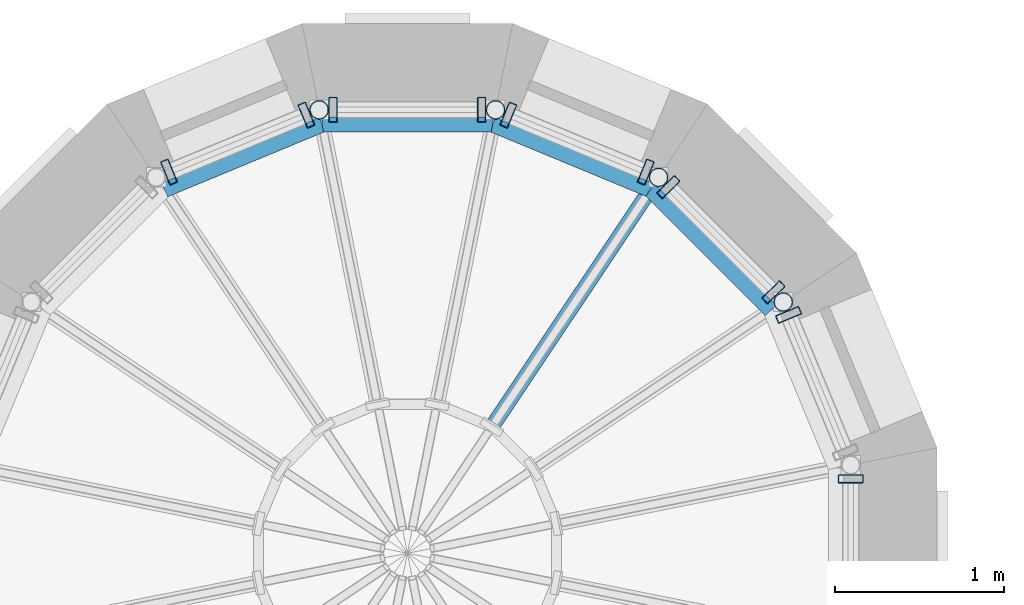
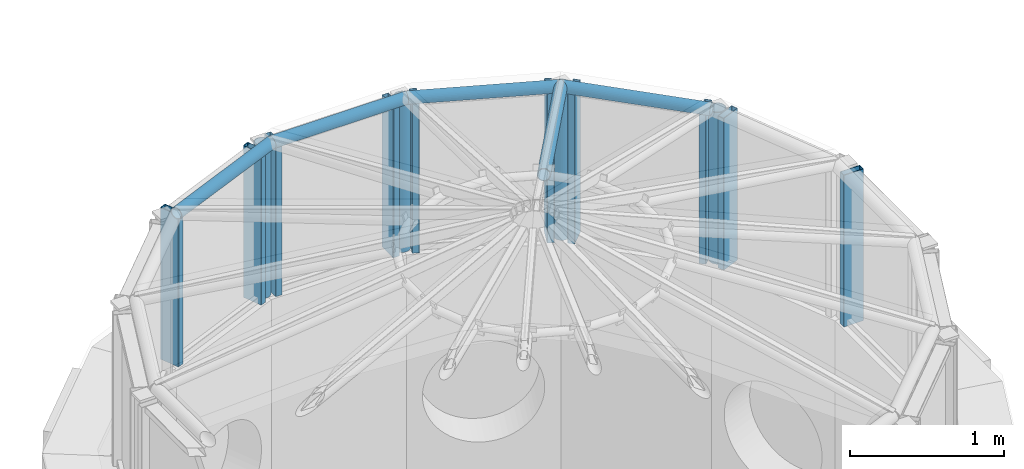
# One storey, part 5 of 42: 19 members, 6 elements without a shape of their own.
"""IFC4 building model written with IfcOpenShell, lengths in metres."""

from ifc_helpers import new_model, si_unit, direction, frame, origin, origin_2d, place, context, subcontext, project, spatial, hollow_rectangle, hollow_circle, extrude, material, material_profile, profile_set, type_object, element, aggregate, save


model = new_model("IFC4")

# Units and contexts
model_context = context("Model", 3, precision=1e-05, world=origin(), true_north=direction((0.0, 1.0)))
body_context = subcontext(model_context, "Body", "Model", "MODEL_VIEW")
ifc_project = project(units=[si_unit("LENGTHUNIT", "METRE"), si_unit("AREAUNIT", "SQUARE_METRE"), si_unit("VOLUMEUNIT", "CUBIC_METRE"), si_unit("PLANEANGLEUNIT", "RADIAN"), si_unit("MASSUNIT", "GRAM", prefix="KILO")], contexts=[model_context])

# Site, building, storey
site_placement = place(None, origin())
site = spatial("IfcSite", under=ifc_project, at=site_placement, CompositionType="ELEMENT")
building_placement = place(site_placement, origin())
building = spatial("IfcBuilding", under=site, at=building_placement, Name="Sun Court Science Centre", CompositionType="ELEMENT")
storey_placement = place(building_placement, frame((0.0, 0.0, 20.25)))
storey = spatial("IfcBuildingStorey", under=building, at=storey_placement, Name="L04", CompositionType="ELEMENT", Elevation=20.25)

# Curtain wall, member
ifc_material_1 = material(Name="Aluminium EN AW-6063 T6", Category="aluminium")
curtain_wall_type = type_object("IfcCurtainWallType", Name="Lantern clerestory curtain wall 1500", PredefinedType="NOTDEFINED", material=ifc_material_1)
curtain_wall_1_placement = place(storey_placement, origin())
curtain_wall_1 = element("IfcCurtainWall", 1, at=curtain_wall_1_placement, inside=storey, type_object=curtain_wall_type, Name="Curtain wall V2 C5 clerestory L04 01", PredefinedType="NOTDEFINED")
ifc_material_2 = material(Name="Aluminium EN AW-6063 T6", Category="aluminium")
ifc_material_profile_1 = material_profile(ifc_material_2, hollow_rectangle(XDim=0.050048828125, YDim=0.14990234375, WallThickness=0.00390625, InnerFilletRadius=0.00390625, OuterFilletRadius=0.006103515625, at=origin_2d()), Name="AL 50x150x4")
ifc_profile_set_1 = profile_set([ifc_material_profile_1], Name="Aluminium EN AW-6063 T6")
member_type_1 = type_object("IfcMemberType", Name="Curtain wall mullion AL 50x150", PredefinedType="MULLION", material=ifc_profile_set_1)
member_1_placement = place(storey_placement, frame((56.25830078125, 12.912109375, 1.949951171875), z_axis=(0.0, 0.0, 1.0), x_axis=(0.382683432365, -0.923879532511, 0.0)))
member_1 = element("IfcMember", 2, at=member_1_placement, type_object=member_type_1, Name="CW4-65 mullion 1", PredefinedType="MULLION", context=body_context, shape_type="SweptSolid", body=[
    extrude(hollow_rectangle(XDim=0.050048828125, YDim=0.14990234375, WallThickness=0.00390625, InnerFilletRadius=0.00390625, OuterFilletRadius=0.006103515625, at=origin_2d()), origin(), (0.0, 0.0, 1.0), 1.199951171875),
])
aggregate(curtain_wall_1, [member_1])

# Curtain wall, members
curtain_wall_2_placement = place(storey_placement, origin())
curtain_wall_2 = element("IfcCurtainWall", 3, at=curtain_wall_2_placement, inside=storey, type_object=curtain_wall_type, Name="Curtain wall V2 C5 clerestory L04 02", PredefinedType="NOTDEFINED")
member_2_placement = place(storey_placement, frame((55.546142578125, 13.668701171875, 1.949951171875), z_axis=(0.0, 0.0, 1.0), x_axis=(0.707106781187, -0.707106781187, 0.0)))
member_2 = element("IfcMember", 4, at=member_2_placement, type_object=member_type_1, Name="CW4-66 mullion 1", PredefinedType="MULLION", context=body_context, shape_type="SweptSolid", body=[
    extrude(hollow_rectangle(XDim=0.050048828125, YDim=0.14990234375, WallThickness=0.00390625, InnerFilletRadius=0.00390625, OuterFilletRadius=0.006103515625, at=origin_2d()), origin(), (0.0, 0.0, 1.0), 1.199951171875),
])
member_3_placement = place(storey_placement, frame((56.168701171875, 13.046142578125, 1.949951171875), z_axis=(0.0, 0.0, 1.0), x_axis=(0.707106781187, -0.707106781187, 0.0)))
member_3 = element("IfcMember", 5, at=member_3_placement, type_object=member_type_1, Name="CW4-66 mullion 2", PredefinedType="MULLION", context=body_context, shape_type="SweptSolid", body=[
    extrude(hollow_rectangle(XDim=0.050048828125, YDim=0.14990234375, WallThickness=0.00390625, InnerFilletRadius=0.00390625, OuterFilletRadius=0.006103515625, at=origin_2d()), origin(), (0.0, 0.0, 1.0), 1.199951171875),
])
aggregate(curtain_wall_2, [member_2, member_3])

curtain_wall_3_placement = place(storey_placement, origin())
curtain_wall_3 = element("IfcCurtainWall", 6, at=curtain_wall_3_placement, inside=storey, type_object=curtain_wall_type, Name="Curtain wall V2 C5 clerestory L04 03", PredefinedType="NOTDEFINED")
member_4_placement = place(storey_placement, frame((54.598388671875, 14.095458984375, 1.949951171875), z_axis=(0.0, 0.0, 1.0), x_axis=(0.923879532511, -0.382683432365, 0.0)))
member_4 = element("IfcMember", 7, at=member_4_placement, type_object=member_type_1, Name="CW4-67 mullion 1", PredefinedType="MULLION", context=body_context, shape_type="SweptSolid", body=[
    extrude(hollow_rectangle(XDim=0.050048828125, YDim=0.14990234375, WallThickness=0.00390625, InnerFilletRadius=0.00390625, OuterFilletRadius=0.006103515625, at=origin_2d()), origin(), (0.0, 0.0, 1.0), 1.199951171875),
])
member_5_placement = place(storey_placement, frame((55.412109375, 13.75830078125, 1.949951171875), z_axis=(0.0, 0.0, 1.0), x_axis=(0.923879532511, -0.382683432365, 0.0)))
member_5 = element("IfcMember", 8, at=member_5_placement, type_object=member_type_1, Name="CW4-67 mullion 2", PredefinedType="MULLION", context=body_context, shape_type="SweptSolid", body=[
    extrude(hollow_rectangle(XDim=0.050048828125, YDim=0.14990234375, WallThickness=0.00390625, InnerFilletRadius=0.00390625, OuterFilletRadius=0.006103515625, at=origin_2d()), origin(), (0.0, 0.0, 1.0), 1.199951171875),
])
aggregate(curtain_wall_3, [member_4, member_5])

curtain_wall_4_placement = place(storey_placement, origin())
curtain_wall_4 = element("IfcCurtainWall", 9, at=curtain_wall_4_placement, inside=storey, type_object=curtain_wall_type, Name="Curtain wall V2 C5 clerestory L04 04", PredefinedType="NOTDEFINED")
member_6_placement = place(storey_placement, frame((53.5595703125, 14.126708984375, 1.949951171875), z_axis=(0.0, 0.0, 1.0), x_axis=(1.0, 0.0, 0.0)))
member_6 = element("IfcMember", 10, at=member_6_placement, type_object=member_type_1, Name="CW4-68 mullion 1", PredefinedType="MULLION", context=body_context, shape_type="SweptSolid", body=[
    extrude(hollow_rectangle(XDim=0.050048828125, YDim=0.14990234375, WallThickness=0.00390625, InnerFilletRadius=0.00390625, OuterFilletRadius=0.006103515625, at=origin_2d()), origin(), (0.0, 0.0, 1.0), 1.199951171875),
])
member_7_placement = place(storey_placement, frame((54.4404296875, 14.126708984375, 1.949951171875), z_axis=(0.0, 0.0, 1.0), x_axis=(1.0, 0.0, 0.0)))
member_7 = element("IfcMember", 11, at=member_7_placement, type_object=member_type_1, Name="CW4-68 mullion 2", PredefinedType="MULLION", context=body_context, shape_type="SweptSolid", body=[
    extrude(hollow_rectangle(XDim=0.050048828125, YDim=0.14990234375, WallThickness=0.00390625, InnerFilletRadius=0.00390625, OuterFilletRadius=0.006103515625, at=origin_2d()), origin(), (0.0, 0.0, 1.0), 1.199951171875),
])
aggregate(curtain_wall_4, [member_6, member_7])

curtain_wall_5_placement = place(storey_placement, origin())
curtain_wall_5 = element("IfcCurtainWall", 12, at=curtain_wall_5_placement, inside=storey, type_object=curtain_wall_type, Name="Curtain wall V2 C5 clerestory L04 05", PredefinedType="NOTDEFINED")
member_8_placement = place(storey_placement, frame((52.587890625, 13.75830078125, 1.949951171875), z_axis=(0.0, 0.0, 1.0), x_axis=(0.923879532511, 0.382683432365, 0.0)))
member_8 = element("IfcMember", 13, at=member_8_placement, type_object=member_type_1, Name="CW4-69 mullion 1", PredefinedType="MULLION", context=body_context, shape_type="SweptSolid", body=[
    extrude(hollow_rectangle(XDim=0.050048828125, YDim=0.14990234375, WallThickness=0.00390625, InnerFilletRadius=0.00390625, OuterFilletRadius=0.006103515625, at=origin_2d()), origin(), (0.0, 0.0, 1.0), 1.199951171875),
])
member_9_placement = place(storey_placement, frame((53.401611328125, 14.095458984375, 1.949951171875), z_axis=(0.0, 0.0, 1.0), x_axis=(0.923879532511, 0.382683432365, 0.0)))
member_9 = element("IfcMember", 14, at=member_9_placement, type_object=member_type_1, Name="CW4-69 mullion 2", PredefinedType="MULLION", context=body_context, shape_type="SweptSolid", body=[
    extrude(hollow_rectangle(XDim=0.050048828125, YDim=0.14990234375, WallThickness=0.00390625, InnerFilletRadius=0.00390625, OuterFilletRadius=0.006103515625, at=origin_2d()), origin(), (0.0, 0.0, 1.0), 1.199951171875),
])
aggregate(curtain_wall_5, [member_8, member_9])

# Curtain wall, member
curtain_wall_6_placement = place(storey_placement, origin())
curtain_wall_6 = element("IfcCurtainWall", 15, at=curtain_wall_6_placement, inside=storey, type_object=curtain_wall_type, Name="Curtain wall V2 C5 clerestory L04 16", PredefinedType="NOTDEFINED")
member_10_placement = place(storey_placement, frame((56.626708984375, 11.9404296875, 1.949951171875), z_axis=(0.0, 0.0, 1.0), x_axis=(0.0, -1.0, 0.0)))
member_10 = element("IfcMember", 16, at=member_10_placement, type_object=member_type_1, Name="CW4-80 mullion 1", PredefinedType="MULLION", context=body_context, shape_type="SweptSolid", body=[
    extrude(hollow_rectangle(XDim=0.050048828125, YDim=0.14990234375, WallThickness=0.00390625, InnerFilletRadius=0.00390625, OuterFilletRadius=0.006103515625, at=origin_2d()), origin(), (0.0, 0.0, 1.0), 1.199951171875),
])
aggregate(curtain_wall_6, [member_10])

# Members
ifc_material_3 = material(Name="Steel S355", Category="steel")
ifc_material_profile_2 = material_profile(ifc_material_3, hollow_circle(Radius=0.04443359375, WallThickness=0.0048828125, at=origin_2d()), Name="CHS 88.9x5")
ifc_profile_set_2 = profile_set([ifc_material_profile_2], Name="Steel S355")
member_type_2 = type_object("IfcMemberType", Name="Lantern base ring CHS 88.9x5", PredefinedType="CHORD", material=ifc_profile_set_2)
for number, where, z_axis, x_axis, name in (
    (17, (56.152099609375, 12.93798828125, 3.1943359375), (-0.707106781187, 0.707106781187, 0.0), (-0.707106781187, -0.707106781187, 0.0), "Cone 5 lantern base ring 2"),
    (18, (55.43798828125, 13.652099609375, 3.1943359375), (-0.923890149844, 0.38265779885, 0.0), (-0.38265779885, -0.923890149844, 0.0), "Cone 5 lantern base ring 3"),
):
    element("IfcMember", number, at=place(storey_placement, frame(where, z_axis=z_axis, x_axis=x_axis)), inside=storey, type_object=member_type_2, Name=name, PredefinedType="CHORD", context=body_context, shape_type="SweptSolid", body=[
        extrude(hollow_circle(Radius=0.04443359375, WallThickness=0.0048828125, at=origin_2d()), origin(), (0.0, 0.0, 1.0), 1.010009765625),
    ])
member_11_placement = place(storey_placement, frame((54.5048828125, 14.03857421875, 3.1943359375), z_axis=(-1.0, 0.0, 0.0), x_axis=(0.0, -1.0, 0.0)))
element("IfcMember", 19, at=member_11_placement, inside=storey, type_object=member_type_2, Name="Cone 5 lantern base ring 4", PredefinedType="CHORD", context=body_context, shape_type="SweptSolid", body=[
    extrude(hollow_circle(Radius=0.04443359375, WallThickness=0.0048828125, at=origin_2d()), origin(), (0.0, 0.0, 1.0), 1.009765625),
])
member_12_placement = place(storey_placement, frame((53.4951171875, 14.03857421875, 3.1943359375), z_axis=(-0.923890149844, -0.38265779885, 0.0), x_axis=(0.38265779885, -0.923890149844, 0.0)))
element("IfcMember", 20, at=member_12_placement, inside=storey, type_object=member_type_2, Name="Cone 5 lantern base ring 5", PredefinedType="CHORD", context=body_context, shape_type="SweptSolid", body=[
    extrude(hollow_circle(Radius=0.04443359375, WallThickness=0.0048828125, at=origin_2d()), origin(), (0.0, 0.0, 1.0), 1.010009765625),
])
ifc_material_4 = material(Name="Steel S355", Category="steel")
ifc_material_profile_3 = material_profile(ifc_material_4, hollow_circle(Radius=0.05712890625, WallThickness=0.00634765625, at=origin_2d()), Name="CHS 114.3x6.3")
ifc_profile_set_3 = profile_set([ifc_material_profile_3], Name="Steel S355")
member_type_3 = type_object("IfcMemberType", Name="Lantern post CHS 114.3x6.3", PredefinedType="POST", material=ifc_profile_set_3)
for number, where, z_axis, x_axis, name in (
    (21, (56.226806640625, 12.988037109375, 1.949951171875), (0.0, 0.0, 1.0), (1.0, 0.0, 0.0), "Cone 5 clerestory post 2"),
    (22, (55.488037109375, 13.726806640625, 1.949951171875), (0.0, 0.0, 1.0), (1.0, 0.0, 0.0), "Cone 5 clerestory post 3"),
    (23, (54.5224609375, 14.126708984375, 1.949951171875), (0.0, 0.0, 1.0), (1.0, 0.0, 0.0), "Cone 5 clerestory post 4"),
    (24, (53.4775390625, 14.126708984375, 1.949951171875), (0.0, 0.0, 1.0), (1.0, 0.0, 0.0), "Cone 5 clerestory post 5"),
):
    element("IfcMember", number, at=place(storey_placement, frame(where, z_axis=z_axis, x_axis=x_axis)), inside=storey, type_object=member_type_3, Name=name, PredefinedType="POST", context=body_context, shape_type="SweptSolid", body=[
        extrude(hollow_circle(Radius=0.05712890625, WallThickness=0.00634765625, at=origin_2d()), origin(), (0.0, 0.0, 1.0), 1.199951171875),
    ])
ifc_material_5 = material(Name="Steel S355", Category="steel")
ifc_material_profile_4 = material_profile(ifc_material_5, hollow_circle(Radius=0.04443359375, WallThickness=0.0048828125, at=origin_2d()), Name="CHS 88.9x5")
ifc_profile_set_4 = profile_set([ifc_material_profile_4], Name="Steel S355")
member_type_4 = type_object("IfcMemberType", Name="Lantern rafter CHS 88.9x5", PredefinedType="RAFTER", material=ifc_profile_set_4)
member_13_placement = place(storey_placement, frame((55.43798828125, 13.652099609375, 3.1943359375), z_axis=(-0.534574538268, -0.800052991942, 0.272296296562), x_axis=(0.831471427074, -0.555567517012, 0.0)))
element("IfcMember", 25, at=member_13_placement, inside=storey, type_object=member_type_4, Name="Cone 5 lantern rafter 3", PredefinedType="RAFTER", context=body_context, shape_type="SweptSolid", body=[
    extrude(hollow_circle(Radius=0.04443359375, WallThickness=0.0048828125, at=origin_2d()), origin(), (0.0, 0.0, 1.0), 1.754638671875),
])

save(model, "model.ifc")
